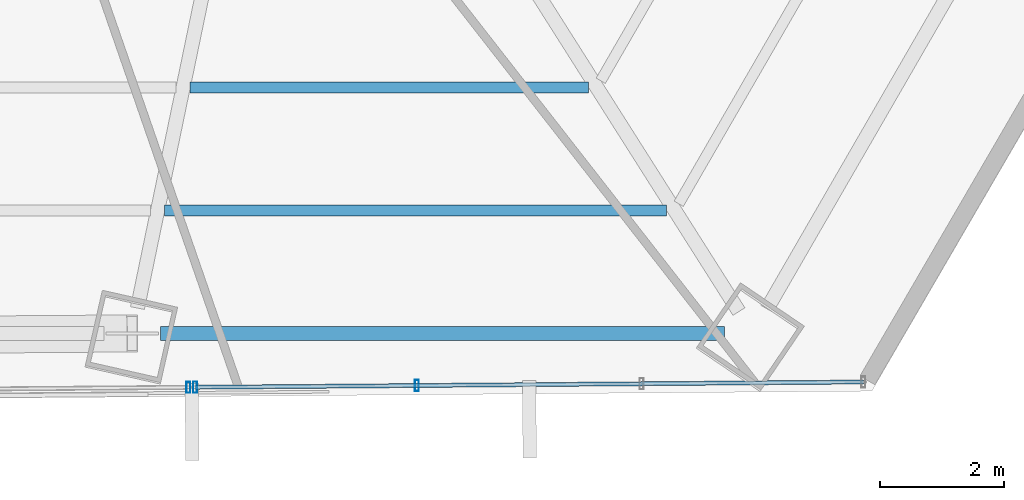
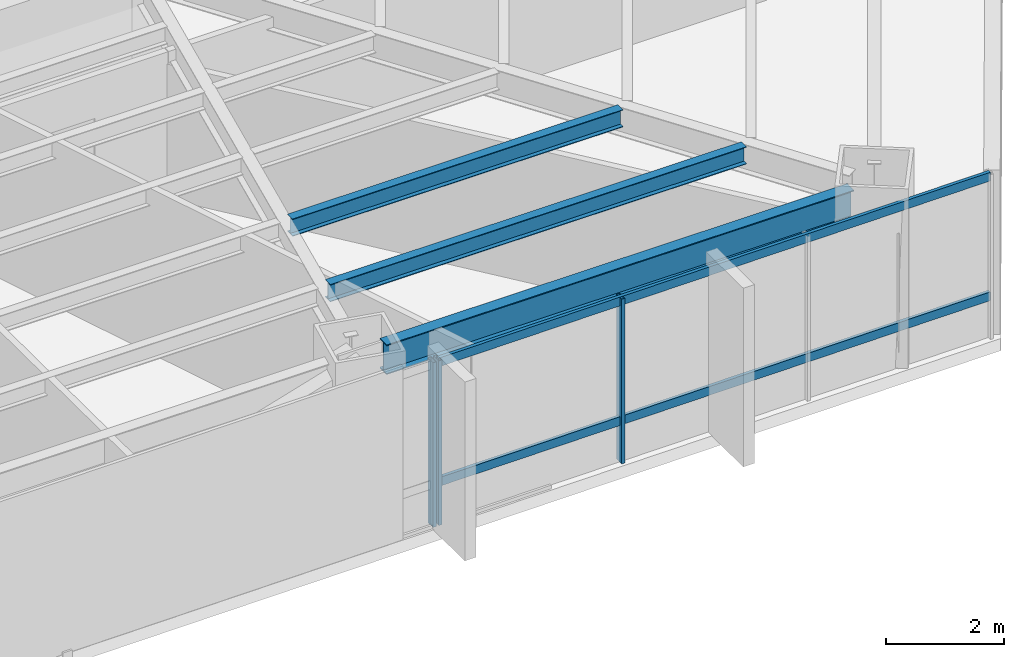
# One storey, part 15 of 34: 5 members, 3 beams, 2 elements without a shape of their own.
"""IFC4 building model written with IfcOpenShell, lengths in metres."""

from ifc_helpers import new_model, si_unit, direction, frame, origin, origin_2d, place, context, subcontext, project, spatial, hollow_rectangle, i_section, extrude, source, transform, mapped, material, material_profile, profile_set, type_object, type_shapes, element, aggregate, save


model = new_model("IFC4")

# Units and contexts
model_context = context("Model", 3, precision=1e-05, world=origin(), true_north=direction((0.0, 1.0)))
body_context = subcontext(model_context, "Body", "Model", "MODEL_VIEW")
ifc_project = project(units=[si_unit("LENGTHUNIT", "METRE"), si_unit("AREAUNIT", "SQUARE_METRE"), si_unit("VOLUMEUNIT", "CUBIC_METRE"), si_unit("PLANEANGLEUNIT", "RADIAN"), si_unit("MASSUNIT", "GRAM", prefix="KILO")], contexts=[model_context])

# Site, building, storey
site_placement = place(None, origin())
site = spatial("IfcSite", under=ifc_project, at=site_placement, CompositionType="ELEMENT")
building_placement = place(site_placement, origin())
building = spatial("IfcBuilding", under=site, at=building_placement, Name="Caelisora Broadcast Tower", CompositionType="ELEMENT")
storey_placement = place(building_placement, frame((0.0, 0.0, 56.800048828125)))
storey = spatial("IfcBuildingStorey", under=building, at=storey_placement, Name="L14", CompositionType="ELEMENT", Elevation=56.800048828125)

# Beams
ifc_material_1 = material(Name="Steel Grade 350 (AS/NZS 3679.1)", Category="steel")
ifc_material_profile_1 = material_profile(ifc_material_1, i_section(OverallWidth=0.22900390625, OverallDepth=0.611572265625, WebThickness=0.011962890625, FlangeThickness=0.01953125, at=origin_2d()), Name="Steel Grade 350 (AS/NZS 3679.1)")
ifc_profile_set_1 = profile_set([ifc_material_profile_1], Name="Steel Grade 350 (AS/NZS 3679.1)")
beam_type_1 = type_object("IfcBeamType", Name="PG03", PredefinedType="BEAM", material=ifc_profile_set_1)
shared_shape_1 = source(origin(), body_context, "Body", "SweptSolid", [
    extrude(i_section(OverallWidth=0.22900390625, OverallDepth=0.611572265625, WebThickness=0.011962890625, FlangeThickness=0.01953125, at=origin_2d()), origin(), (0.0, 0.0, 1.0), 9.1298828125),
])
type_shapes(beam_type_1, [shared_shape_1])
beam_1_placement = place(storey_placement, frame((43.48486328125, 5.45068359375, 3.09423828125), z_axis=(1.0, 0.0, 0.0), x_axis=(0.0, 1.0, 0.0)))
element("IfcBeam", 1, at=beam_1_placement, inside=storey, type_object=beam_type_1, Name="L14 beam PG03", PredefinedType="BEAM", context=body_context, shape_type="MappedRepresentation", body=[
    mapped(shared_shape_1, transform((0.0, 0.0, 0.0), scale=1.0)),
])
ifc_material_profile_2 = material_profile(ifc_material_1, i_section(OverallWidth=0.172119140625, OverallDepth=0.358642578125, WebThickness=0.008056640625, FlangeThickness=0.012939453125, at=origin_2d()), Name="Steel Grade 350 (AS/NZS 3679.1)")
ifc_profile_set_2 = profile_set([ifc_material_profile_2], Name="Steel Grade 350 (AS/NZS 3679.1)")
beam_type_2 = type_object("IfcBeamType", Name="SB02", PredefinedType="JOIST", material=ifc_profile_set_2)
shared_shape_2 = source(origin(), body_context, "Body", "SweptSolid", [
    extrude(i_section(OverallWidth=0.172119140625, OverallDepth=0.358642578125, WebThickness=0.008056640625, FlangeThickness=0.012939453125, at=origin_2d()), origin(), (0.0, 0.0, 1.0), 6.45458984375),
])
beam_2_placement = place(storey_placement, frame((43.96337890625, 9.433837890625, 3.220703125), z_axis=(1.0, 0.0, 0.0), x_axis=(0.0, 1.0, 0.0)))
element("IfcBeam", 2, at=beam_2_placement, inside=storey, type_object=beam_type_2, Name="L14 beam SB02", PredefinedType="JOIST", context=body_context, shape_type="MappedRepresentation", body=[
    mapped(shared_shape_2, transform((0.0, 0.0, 0.0), scale=1.0)),
])
shared_shape_3 = source(origin(), body_context, "Body", "SweptSolid", [
    extrude(i_section(OverallWidth=0.172119140625, OverallDepth=0.358642578125, WebThickness=0.008056640625, FlangeThickness=0.012939453125, at=origin_2d()), origin(), (0.0, 0.0, 1.0), 8.129638671875),
])
type_shapes(beam_type_2, [shared_shape_2, shared_shape_3])
beam_3_placement = place(storey_placement, frame((43.55078125, 7.442138671875, 3.220703125), z_axis=(1.0, 0.0, 0.0), x_axis=(0.0, 1.0, 0.0)))
element("IfcBeam", 3, at=beam_3_placement, inside=storey, type_object=beam_type_2, Name="L14 beam SB02", PredefinedType="JOIST", context=body_context, shape_type="MappedRepresentation", body=[
    mapped(shared_shape_3, transform((0.0, 0.0, 0.0), scale=1.0)),
])

# Curtain wall, members
ifc_material_2 = material(Name="Unitised Aluminium and Low-E Glass Curtain Wall", Category="glass")
curtain_wall_type_1 = type_object("IfcCurtainWallType", Name="CW-Z1", PredefinedType="NOTDEFINED", material=ifc_material_2)
curtain_wall_1_placement = place(storey_placement, origin())
curtain_wall_1 = element("IfcCurtainWall", 4, at=curtain_wall_1_placement, inside=storey, type_object=curtain_wall_type_1, Name="L14 curtain wall CW-Z1", PredefinedType="NOTDEFINED")
ifc_material_3 = material(Name="Aluminium 6063-T6 Anodised Terracotta Bronze", Category="aluminium")
ifc_material_profile_3 = material_profile(ifc_material_3, hollow_rectangle(XDim=0.06494140625, YDim=0.179931640625, WallThickness=0.00341796875, at=origin_2d()), Name="Aluminium 6063-T6 Anodised Terracotta Bronze")
ifc_profile_set_3 = profile_set([ifc_material_profile_3], Name="Aluminium 6063-T6 Anodised Terracotta Bronze")
member_type_1 = type_object("IfcMemberType", Name="CWM-02", PredefinedType="MULLION", material=ifc_profile_set_3)
shared_shape_4 = source(origin(), body_context, "Body", "SweptSolid", [
    extrude(hollow_rectangle(XDim=0.06494140625, YDim=0.179931640625, WallThickness=0.00341796875, at=origin_2d()), origin(), (0.0, 0.0, 1.0), 3.39990234375),
])
type_shapes(member_type_1, [shared_shape_4])
member_1_placement = place(storey_placement, frame((47.63525390625, 4.607421875, 0.0), z_axis=(0.0, 0.0, 1.0), x_axis=(1.0, 0.0, 0.0)))
member_1 = element("IfcMember", 5, at=member_1_placement, type_object=member_type_1, Name="L14-CW-B05 mullion #2", PredefinedType="MULLION", context=body_context, shape_type="MappedRepresentation", body=[
    mapped(shared_shape_4, transform((0.0, 0.0, 0.0), scale=1.0)),
])
member_2_placement = place(storey_placement, frame((44.044921875, 4.578857421875, 0.0), z_axis=(0.0, 0.0, 1.0), x_axis=(1.0, 0.0, 0.0)))
member_2 = element("IfcMember", 6, at=member_2_placement, type_object=member_type_1, Name="L14-CW-B05 mullion #3", PredefinedType="MULLION", context=body_context, shape_type="MappedRepresentation", body=[
    mapped(shared_shape_4, transform((0.0, 0.0, 0.0), scale=1.0)),
])

# Curtain wall, member
ifc_material_4 = material(Name="Unitised Aluminium Insulated Shadow-Box Spandrel Curtain Wall", Category="aluminium")
curtain_wall_type_2 = type_object("IfcCurtainWallType", Name="CW-SP1", PredefinedType="NOTDEFINED", material=ifc_material_4)
curtain_wall_2_placement = place(storey_placement, origin())
curtain_wall_2 = element("IfcCurtainWall", 7, at=curtain_wall_2_placement, inside=storey, type_object=curtain_wall_type_2, Name="L14 curtain wall CW-SP1", PredefinedType="NOTDEFINED")
member_3_placement = place(storey_placement, frame((43.934814453125, 4.577880859375, 0.0), z_axis=(0.0, 0.0, 1.0), x_axis=(1.0, 0.0, 0.0)))
member_3 = element("IfcMember", 8, at=member_3_placement, type_object=member_type_1, Name="L14-CW-B06 mullion #0", PredefinedType="MULLION", context=body_context, shape_type="MappedRepresentation", body=[
    mapped(shared_shape_4, transform((0.0, 0.0, 0.0), scale=1.0)),
])
aggregate(curtain_wall_2, [member_3])

# Member
ifc_material_profile_4 = material_profile(ifc_material_3, hollow_rectangle(XDim=0.06494140625, YDim=0.179931640625, WallThickness=0.00341796875, at=origin_2d()), Name="Aluminium 6063-T6 Anodised Terracotta Bronze")
ifc_profile_set_4 = profile_set([ifc_material_profile_4], Name="Aluminium 6063-T6 Anodised Terracotta Bronze")
member_type_2 = type_object("IfcMemberType", Name="CWT-01", PredefinedType="USERDEFINED", material=ifc_profile_set_4)
shared_shape_5 = source(origin(), body_context, "Body", "SweptSolid", [
    extrude(hollow_rectangle(XDim=0.06494140625, YDim=0.179931640625, WallThickness=0.00341796875, at=origin_2d()), origin(), (0.0, 0.0, 1.0), 10.8212890625),
])
type_shapes(member_type_2, [shared_shape_5])
member_4_placement = place(storey_placement, frame((54.865966796875, 4.66455078125, 0.849853515625), z_axis=(-0.999968645093, -0.007918890744, 0.0), x_axis=(0.007918890744, -0.999968645093, 0.0)))
member_4 = element("IfcMember", 9, at=member_4_placement, type_object=member_type_2, Name="L14-CW-B05 transom #1", ObjectType="TRANSOM", PredefinedType="USERDEFINED", context=body_context, shape_type="MappedRepresentation", body=[
    mapped(shared_shape_5, transform((0.0, 0.0, 0.0), scale=1.0)),
])

member_5_placement = place(storey_placement, frame((54.865966796875, 4.66455078125, 3.320068359375), z_axis=(-0.999968645093, -0.007918890744, 0.0), x_axis=(0.007918890744, -0.999968645093, 0.0)))
member_5 = element("IfcMember", 10, at=member_5_placement, type_object=member_type_2, Name="L14-CW-B05 transom #2", ObjectType="TRANSOM", PredefinedType="USERDEFINED", context=body_context, shape_type="MappedRepresentation", body=[
    mapped(shared_shape_5, transform((0.0, 0.0, 0.0), scale=1.0)),
])

aggregate(curtain_wall_1, [member_1, member_2, member_4, member_5])

save(model, "model.ifc")
